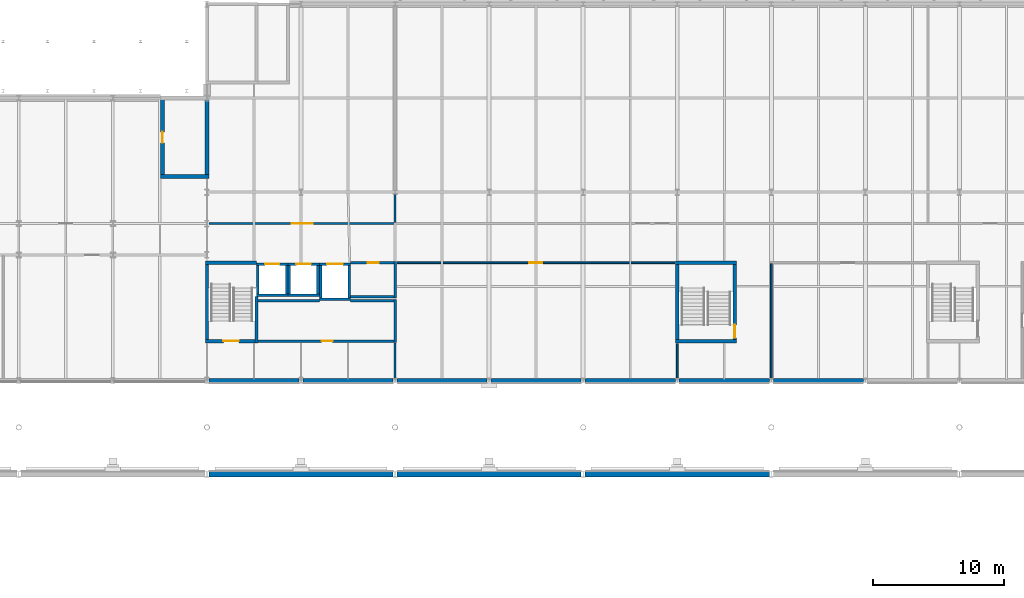
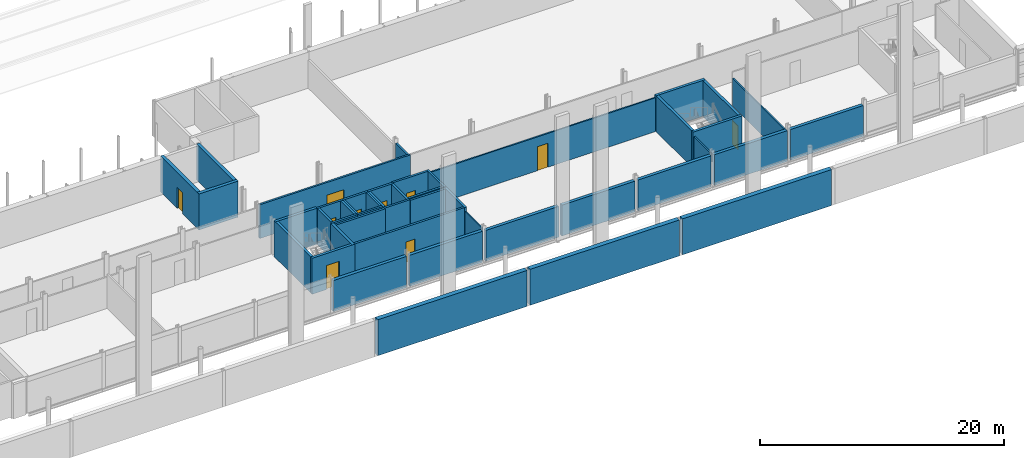
# One storey, part 57 of 90: 46 walls, 10 doors, 10 openings.
"""IFC4 building model written with IfcOpenShell, lengths in metres."""

from ifc_helpers import new_model, si_unit, direction, frame, frame_2d, origin, place, context, subcontext, project, spatial, rectangle, extrude, material, layer, layer_set, type_object, element, fill, save


model = new_model("IFC4")

# Units and contexts
model_context = context("Model", 3, precision=1e-05, world=origin(), true_north=direction((0.0, 1.0)))
body_context = subcontext(model_context, "Body", "Model", "MODEL_VIEW")
ifc_project = project(units=[si_unit("LENGTHUNIT", "METRE"), si_unit("AREAUNIT", "SQUARE_METRE"), si_unit("VOLUMEUNIT", "CUBIC_METRE"), si_unit("PLANEANGLEUNIT", "RADIAN"), si_unit("MASSUNIT", "GRAM", prefix="KILO")], contexts=[model_context])

# Site, building, storey
site_placement = place(None, origin())
site = spatial("IfcSite", under=ifc_project, at=site_placement, CompositionType="ELEMENT")
building_placement = place(site_placement, origin())
building = spatial("IfcBuilding", under=site, at=building_placement, Name="Kupolbacken Congress Centre", CompositionType="ELEMENT")
storey_placement = place(building_placement, frame((0.0, 0.0, 3.60009765625)))
storey = spatial("IfcBuildingStorey", under=building, at=storey_placement, Name="L01", CompositionType="ELEMENT", Elevation=3.60009765625)

# Walls
ifc_material_1 = material(Name="Limestone", Category="masonry")
ifc_layer_1 = layer(ifc_material_1, 0.06005859375)
ifc_material_2 = material(Name="Air cavity", Category="air")
ifc_layer_2 = layer(ifc_material_2, 0.0400390625, ventilated=True)
ifc_material_3 = material(Name="Mineral wool", Category="insulation")
ifc_layer_3 = layer(ifc_material_3, 0.14990234375)
ifc_material_4 = material(Name="Steel studs", Category="metal")
ifc_layer_4 = layer(ifc_material_4, 0.050048828125)
ifc_layer_set_1 = layer_set([ifc_layer_1, ifc_layer_2, ifc_layer_3, ifc_layer_4], Name="Limestone / Mineral wool / Steel studs")
wall_type_1 = type_object("IfcWallType", Name="EW01 external cavity wall 300", PredefinedType="SOLIDWALL", material=ifc_layer_set_1)
for number, where, z_axis, x_axis, name in (
    (1, (151.35009765625, 122.39990234375, 0.0), (0.0, 0.0, 1.0), (1.0, 0.0, 0.0), "E/B/S/L01/117"),
    (2, (158.550048828125, 122.39990234375, 0.0), (0.0, 0.0, 1.0), (1.0, 0.0, 0.0), "E/B/S/L01/118"),
    (3, (165.75, 122.39990234375, 0.0), (0.0, 0.0, 1.0), (1.0, 0.0, 0.0), "E/B/S/L01/119"),
):
    element("IfcWall", number, at=place(storey_placement, frame(where, z_axis=z_axis, x_axis=x_axis)), inside=storey, type_object=wall_type_1, Name=name, PredefinedType="SOLIDWALL", context=body_context, shape_type="SweptSolid", body=[
        extrude(rectangle(XDim=6.89990234375, YDim=0.300048828125, at=frame_2d((3.449951171875, 0.0))), origin(), (0.0, 0.0, 1.0), 3.079833984375),
    ])
for number, where, z_axis, x_axis, name in (
    (4, (172.949951171875, 122.39990234375, 0.0), (0.0, 0.0, 1.0), (1.0, 0.0, 0.0), "E/B/S/L01/120"),
    (5, (180.14990234375, 122.39990234375, 0.0), (0.0, 0.0, 1.0), (1.0, 0.0, 0.0), "E/B/S/L01/121"),
):
    element("IfcWall", number, at=place(storey_placement, frame(where, z_axis=z_axis, x_axis=x_axis)), inside=storey, type_object=wall_type_1, Name=name, PredefinedType="SOLIDWALL", context=body_context, shape_type="SweptSolid", body=[
        extrude(rectangle(XDim=6.900146484375, YDim=0.300048828125, at=frame_2d((3.4501953125, 0.0))), origin(), (0.0, 0.0, 1.0), 3.079833984375),
    ])
for number, where, z_axis, x_axis, name in (
    (6, (136.949951171875, 122.39990234375, 0.0), (0.0, 0.0, 1.0), (1.0, 0.0, 0.0), "E/BF/S/L01/128"),
    (7, (144.14990234375, 122.39990234375, 0.0), (0.0, 0.0, 1.0), (1.0, 0.0, 0.0), "E/BF/S/L01/129"),
):
    element("IfcWall", number, at=place(storey_placement, frame(where, z_axis=z_axis, x_axis=x_axis)), inside=storey, type_object=wall_type_1, Name=name, PredefinedType="SOLIDWALL", context=body_context, shape_type="SweptSolid", body=[
        extrude(rectangle(XDim=6.900146484375, YDim=0.300048828125, at=frame_2d((3.4501953125, 0.0))), origin(), (0.0, 0.0, 1.0), 3.119873046875),
    ])
ifc_material_5 = material(Name="Brick", Category="masonry")
ifc_layer_5 = layer(ifc_material_5, 0.10791015625)
ifc_layer_6 = layer(ifc_material_2, 0.0400390625, ventilated=True)
ifc_layer_7 = layer(ifc_material_3, 0.152099609375)
ifc_material_6 = material(Name="Concrete block", Category="masonry")
ifc_layer_8 = layer(ifc_material_6, 0.1201171875)
ifc_layer_set_2 = layer_set([ifc_layer_5, ifc_layer_6, ifc_layer_7, ifc_layer_8], Name="Brick / Mineral wool / Concrete block")
wall_type_2 = type_object("IfcWallType", Name="EW04 external cavity wall 420", PredefinedType="SOLIDWALL", material=ifc_layer_set_2)
wall_1_placement = place(storey_placement, frame((179.85009765625, 115.199951171875, 0.0), z_axis=(0.0, 0.0, 1.0), x_axis=(-1.0, 0.0, 0.0)))
element("IfcWall", 8, at=wall_1_placement, inside=storey, type_object=wall_type_2, Name="E/H/N/L01/164", PredefinedType="SOLIDWALL", context=body_context, shape_type="SweptSolid", body=[
    extrude(rectangle(XDim=14.10009765625, YDim=0.419921875, at=frame_2d((7.050048828125, 0.0))), origin(), (0.0, 0.0, 1.0), 3.599853515625),
])
wall_2_placement = place(storey_placement, frame((165.449951171875, 115.199951171875, 0.0), z_axis=(0.0, 0.0, 1.0), x_axis=(-1.0, 0.0, 0.0)))
element("IfcWall", 9, at=wall_2_placement, inside=storey, type_object=wall_type_2, Name="E/H/N/L01/165", PredefinedType="SOLIDWALL", context=body_context, shape_type="SweptSolid", body=[
    extrude(rectangle(XDim=14.099853515625, YDim=0.419921875, at=frame_2d((7.0498046875, 0.0))), origin(), (0.0, 0.0, 1.0), 3.599853515625),
])
wall_3_placement = place(storey_placement, frame((151.050048828125, 115.199951171875, 0.0), z_axis=(0.0, 0.0, 1.0), x_axis=(-1.0, 0.0, 0.0)))
element("IfcWall", 10, at=wall_3_placement, inside=storey, type_object=wall_type_2, Name="E/H/N/L01/166", PredefinedType="SOLIDWALL", context=body_context, shape_type="SweptSolid", body=[
    extrude(rectangle(XDim=14.10009765625, YDim=0.419921875, at=frame_2d((7.050048828125, 0.0))), origin(), (0.0, 0.0, 1.0), 3.599853515625),
])
ifc_material_7 = material(Name="Gypsum board", Category="drywall")
ifc_layer_9 = layer(ifc_material_7, 0.135009765625)
ifc_layer_set_3 = layer_set([ifc_layer_9], Name="Gypsum board")
wall_type_3 = type_object("IfcWallType", Name="P06 compartment wall 135", PredefinedType="PARTITIONING", material=ifc_layer_set_3)
wall_4_placement = place(storey_placement, frame((151.199951171875, 122.550048828125, 0.0), z_axis=(0.0, 0.0, 1.0), x_axis=(0.0, 1.0, 0.0)))
element("IfcWall", 11, at=wall_4_placement, inside=storey, type_object=wall_type_3, Name="PD/L01/W018", PredefinedType="PARTITIONING", context=body_context, shape_type="SweptSolid", body=[
    extrude(rectangle(XDim=2.68994140625, YDim=0.135009765625, at=frame_2d((1.344970703125, 0.0))), origin(), (0.0, 0.0, 1.0), 3.219970703125),
])
wall_5_placement = place(storey_placement, frame((172.800048828125, 122.550048828125, 0.0), z_axis=(0.0, 0.0, 1.0), x_axis=(0.0, 1.0, 0.0)))
element("IfcWall", 12, at=wall_5_placement, inside=storey, type_object=wall_type_3, Name="PD/L01/W021", PredefinedType="PARTITIONING", context=body_context, shape_type="SweptSolid", body=[
    extrude(rectangle(XDim=2.6650390625, YDim=0.135009765625, at=frame_2d((1.33251953125, 0.0))), origin(), (0.0, 0.0, 1.0), 3.179931640625),
])
wall_6_placement = place(storey_placement, frame((180.0, 131.33251953125, 0.0), z_axis=(0.0, 0.0, 1.0), x_axis=(0.0, -1.0, 0.0)))
element("IfcWall", 13, at=wall_6_placement, inside=storey, type_object=wall_type_3, Name="PD/L01/W022", PredefinedType="PARTITIONING", context=body_context, shape_type="SweptSolid", body=[
    extrude(rectangle(XDim=8.782470703125, YDim=0.135009765625, at=frame_2d((4.39111328125, 0.0))), origin(), (0.0, 0.0, 1.0), 2.77978515625),
])

# Wall, opening, door
wall_7_placement = place(storey_placement, frame((172.614990234375, 131.39990234375, 0.0), z_axis=(0.0, 0.0, 1.0), x_axis=(-1.0, 0.0, 0.0)))
wall_7 = element("IfcWall", 14, at=wall_7_placement, inside=storey, type_object=wall_type_3, Name="PD/L01/W125", PredefinedType="PARTITIONING", context=body_context, shape_type="SweptSolid", body=[
    extrude(rectangle(XDim=21.2548828125, YDim=0.135009765625, at=frame_2d((10.62744140625, 0.0))), origin(), (0.0, 0.0, 1.0), 3.3798828125),
])
opening_1_placement = place(wall_7_placement, frame((10.14990234375, 0.0, 0.0)))
opening_1 = element("IfcOpeningElement", 15, at=opening_1_placement, cuts=wall_7, Name="Opening 1.B06", PredefinedType="OPENING", context=body_context, shape_type="SweptSolid", body=[
    extrude(rectangle(XDim=1.0, YDim=2.39990234375, at=frame_2d((0.5, 1.199951171875))), frame((0.0, 0.077392578125, 0.0), z_axis=(0.0, -1.0, 0.0), x_axis=(1.0, 0.0, 0.0)), (0.0, 0.0, 1.0), 0.155029296875),
])
ifc_material_8 = material(Name="Steel fire door leaf", Category="steel")
door_type_1 = type_object("IfcDoorType", Name="D8 fire door 1000x2400", OperationType="SINGLE_SWING_LEFT", PredefinedType="DOOR", material=ifc_material_8)
door_1_placement = place(opening_1_placement, origin())
door_1 = element("IfcDoor", 16, at=door_1_placement, inside=storey, type_object=door_type_1, Name="PD/L01/W125/D1B06", OperationType="SINGLE_SWING_RIGHT", OverallHeight=2.39990234375, OverallWidth=1.0, PredefinedType="DOOR", context=body_context, shape_type="SweptSolid", body=[
    extrude(rectangle(XDim=1.0, YDim=2.39990234375, at=frame_2d((0.5, 1.199951171875))), frame((0.0, 0.02490234375, 0.0), z_axis=(0.0, -1.0, 0.0), x_axis=(1.0, 0.0, 0.0)), (0.0, 0.0, 1.0), 0.050048828125),
])
fill(opening_1, door_1)

ifc_material_9 = material(Name="Gypsum board", Category="drywall")
ifc_layer_10 = layer(ifc_material_9, 0.175048828125)
ifc_layer_set_4 = layer_set([ifc_layer_10], Name="Gypsum board")
wall_type_4 = type_object("IfcWallType", Name="P09 partition 175", PredefinedType="PARTITIONING", material=ifc_layer_set_4)
wall_8_placement = place(storey_placement, frame((136.949951171875, 134.39990234375, 0.0), z_axis=(0.0, 0.0, 1.0), x_axis=(1.0, 0.0, 0.0)))
wall_8 = element("IfcWall", 17, at=wall_8_placement, inside=storey, type_object=wall_type_4, Name="PD/L01/W122", PredefinedType="PARTITIONING", context=body_context, shape_type="SweptSolid", body=[
    extrude(rectangle(XDim=14.25, YDim=0.175048828125, at=frame_2d((7.125, 0.0))), origin(), (0.0, 0.0, 1.0), 3.3798828125),
])
opening_2_placement = place(wall_8_placement, frame((6.35009765625, 0.0, 0.0)))
opening_2 = element("IfcOpeningElement", 18, at=opening_2_placement, cuts=wall_8, Name="Opening 1.G04", PredefinedType="OPENING", context=body_context, shape_type="SweptSolid", body=[
    extrude(rectangle(XDim=1.60009765625, YDim=2.10009765625, at=frame_2d((0.800048828125, 1.050048828125))), frame((0.0, 0.097412109375, 0.0), z_axis=(0.0, -1.0, 0.0), x_axis=(1.0, 0.0, 0.0)), (0.0, 0.0, 1.0), 0.195068359375),
])
ifc_material_10 = material(Name="Steel fire door leaf", Category="steel")
door_type_2 = type_object("IfcDoorType", Name="D13 fire door 1600x2100", OperationType="DOUBLE_DOOR_SINGLE_SWING", PredefinedType="DOOR", material=ifc_material_10)
door_2_placement = place(opening_2_placement, origin())
door_2 = element("IfcDoor", 19, at=door_2_placement, inside=storey, type_object=door_type_2, Name="PD/L01/W122/D1G04", OperationType="DOUBLE_DOOR_SINGLE_SWING", OverallHeight=2.10009765625, OverallWidth=1.60009765625, PredefinedType="DOOR", context=body_context, shape_type="SweptSolid", body=[
    extrude(rectangle(XDim=1.60009765625, YDim=2.10009765625, at=frame_2d((0.800048828125, 1.050048828125))), frame((0.0, 0.02490234375, 0.0), z_axis=(0.0, -1.0, 0.0), x_axis=(1.0, 0.0, 0.0)), (0.0, 0.0, 1.0), 0.050048828125),
])
fill(opening_2, door_2)

# Wall
wall_9_placement = place(storey_placement, frame((151.199951171875, 136.64990234375, 0.0), z_axis=(0.0, 0.0, 1.0), x_axis=(0.0, -1.0, 0.0)))
element("IfcWall", 20, at=wall_9_placement, inside=storey, type_object=wall_type_4, Name="PD/L01/W128.h1", PredefinedType="PARTITIONING", context=body_context, shape_type="SweptSolid", body=[
    extrude(rectangle(XDim=2.162353515625, YDim=0.175048828125, at=frame_2d((1.0810546875, 0.0))), origin(), (0.0, 0.0, 1.0), 3.14990234375),
])

# Wall, opening, door
ifc_material_11 = material(Name="Concrete C40/50", Category="concrete")
ifc_layer_11 = layer(ifc_material_11, 0.199951171875)
ifc_layer_set_5 = layer_set([ifc_layer_11], Name="Concrete C40/50")
wall_type_5 = type_object("IfcWallType", Name="WC1 RC shaft wall 200", PredefinedType="SHEAR", material=ifc_layer_set_5)
wall_10_placement = place(storey_placement, frame((140.72509765625, 125.39990234375, 0.0), z_axis=(0.0, 0.0, 1.0), x_axis=(1.0, 0.0, 0.0)))
wall_10 = element("IfcWall", 21, at=wall_10_placement, inside=storey, type_object=wall_type_5, Name="Shaft wall L01-083", PredefinedType="SHEAR", context=body_context, shape_type="SweptSolid", body=[
    extrude(rectangle(XDim=10.574951171875, YDim=0.199951171875, at=frame_2d((5.28759765625, 0.0))), origin(), (0.0, 0.0, 1.0), 3.599853515625),
])
opening_3_placement = place(wall_10_placement, frame((4.85009765625, 0.0, 0.0)))
opening_3 = element("IfcOpeningElement", 22, at=opening_3_placement, cuts=wall_10, Name="Opening 1.G03", PredefinedType="OPENING", context=body_context, shape_type="SweptSolid", body=[
    extrude(rectangle(XDim=0.85009765625, YDim=2.10009765625, at=frame_2d((0.425048828125, 1.050048828125))), frame((0.0, 0.10986328125, 0.0), z_axis=(0.0, -1.0, 0.0), x_axis=(1.0, 0.0, 0.0)), (0.0, 0.0, 1.0), 0.219970703125),
])
ifc_material_12 = material(Name="Steel fire door leaf", Category="steel")
door_type_3 = type_object("IfcDoorType", Name="D3 fire door 850x2100", OperationType="SINGLE_SWING_LEFT", PredefinedType="DOOR", material=ifc_material_12)
door_3_placement = place(opening_3_placement, origin())
door_3 = element("IfcDoor", 23, at=door_3_placement, inside=storey, type_object=door_type_3, Name="S/core/L01/083/D1G03", OperationType="SINGLE_SWING_RIGHT", OverallHeight=2.10009765625, OverallWidth=0.85009765625, PredefinedType="DOOR", context=body_context, shape_type="SweptSolid", body=[
    extrude(rectangle(XDim=0.85009765625, YDim=2.10009765625, at=frame_2d((0.425048828125, 1.050048828125))), frame((0.0, 0.02490234375, 0.0), z_axis=(0.0, -1.0, 0.0), x_axis=(1.0, 0.0, 0.0)), (0.0, 0.0, 1.0), 0.050048828125),
])
fill(opening_3, door_3)

# Walls
wall_11_placement = place(storey_placement, frame((151.199951171875, 125.300048828125, 0.0), z_axis=(0.0, 0.0, 1.0), x_axis=(0.0, 1.0, 0.0)))
element("IfcWall", 24, at=wall_11_placement, inside=storey, type_object=wall_type_5, Name="Shaft wall L01-085", PredefinedType="SHEAR", context=body_context, shape_type="SweptSolid", body=[
    extrude(rectangle(XDim=3.300048828125, YDim=0.199951171875, at=frame_2d((1.64990234375, 0.0))), origin(), (0.0, 0.0, 1.0), 3.599853515625),
])
wall_12_placement = place(storey_placement, frame((140.60009765625, 128.5, 0.0), z_axis=(0.0, 0.0, 1.0), x_axis=(1.0, 0.0, 0.0)))
element("IfcWall", 25, at=wall_12_placement, inside=storey, type_object=wall_type_5, Name="Shaft wall L01-095", PredefinedType="SHEAR", context=body_context, shape_type="SweptSolid", body=[
    extrude(rectangle(XDim=4.7998046875, YDim=0.199951171875, at=frame_2d((2.39990234375, 0.0))), origin(), (0.0, 0.0, 1.0), 3.599853515625),
])
for number, where, z_axis, x_axis, name in (
    (26, (147.800048828125, 128.5, 0.0), (0.0, 0.0, 1.0), (1.0, 0.0, 0.0), "Shaft wall L01-097"),
    (27, (147.800048828125, 128.800048828125, 0.0), (0.0, 0.0, 1.0), (1.0, 0.0, 0.0), "Shaft wall L01-098"),
):
    element("IfcWall", number, at=place(storey_placement, frame(where, z_axis=z_axis, x_axis=x_axis)), inside=storey, type_object=wall_type_5, Name=name, PredefinedType="SHEAR", context=body_context, shape_type="SweptSolid", body=[
        extrude(rectangle(XDim=3.5, YDim=0.199951171875, at=frame_2d((1.75, 0.0))), origin(), (0.0, 0.0, 1.0), 3.599853515625),
    ])
wall_13_placement = place(storey_placement, frame((151.199951171875, 128.699951171875, 0.0), z_axis=(0.0, 0.0, 1.0), x_axis=(0.0, 1.0, 0.0)))
element("IfcWall", 28, at=wall_13_placement, inside=storey, type_object=wall_type_5, Name="Shaft wall L01-099", PredefinedType="SHEAR", context=body_context, shape_type="SweptSolid", body=[
    extrude(rectangle(XDim=2.800048828125, YDim=0.199951171875, at=frame_2d((1.39990234375, 0.0))), origin(), (0.0, 0.0, 1.0), 3.599853515625),
])

# Wall, opening, door
wall_14_placement = place(storey_placement, frame((151.300048828125, 131.39990234375, 0.0), z_axis=(0.0, 0.0, 1.0), x_axis=(-1.0, 0.0, 0.0)))
wall_14 = element("IfcWall", 29, at=wall_14_placement, inside=storey, type_object=wall_type_5, Name="Shaft wall L01-103", PredefinedType="SHEAR", context=body_context, shape_type="SweptSolid", body=[
    extrude(rectangle(XDim=3.5, YDim=0.199951171875, at=frame_2d((1.75, 0.0))), origin(), (0.0, 0.0, 1.0), 3.599853515625),
])
opening_4_placement = place(wall_14_placement, frame((1.35009765625, 0.0, 0.0)))
opening_4 = element("IfcOpeningElement", 30, at=opening_4_placement, cuts=wall_14, Name="Opening 1.G02", PredefinedType="OPENING", context=body_context, shape_type="SweptSolid", body=[
    extrude(rectangle(XDim=0.85009765625, YDim=2.10009765625, at=frame_2d((0.425048828125, 1.050048828125))), frame((0.0, 0.10986328125, 0.0), z_axis=(0.0, -1.0, 0.0), x_axis=(1.0, 0.0, 0.0)), (0.0, 0.0, 1.0), 0.219970703125),
])
door_4_placement = place(opening_4_placement, origin())
door_4 = element("IfcDoor", 31, at=door_4_placement, inside=storey, type_object=door_type_3, Name="S/core/L01/103/D1G02", OperationType="SINGLE_SWING_RIGHT", OverallHeight=2.10009765625, OverallWidth=0.85009765625, PredefinedType="DOOR", context=body_context, shape_type="SweptSolid", body=[
    extrude(rectangle(XDim=0.85009765625, YDim=2.10009765625, at=frame_2d((0.425048828125, 1.050048828125))), frame((0.0, 0.02490234375, 0.0), z_axis=(0.0, -1.0, 0.0), x_axis=(1.0, 0.0, 0.0)), (0.0, 0.0, 1.0), 0.050048828125),
])
fill(opening_4, door_4)

# Wall
wall_15_placement = place(storey_placement, frame((140.60009765625, 128.89990234375, 0.0), z_axis=(0.0, 0.0, 1.0), x_axis=(1.0, 0.0, 0.0)))
element("IfcWall", 32, at=wall_15_placement, inside=storey, type_object=wall_type_5, Name="Shaft wall LP15", PredefinedType="SHEAR", context=body_context, shape_type="SweptSolid", body=[
    extrude(rectangle(XDim=2.39990234375, YDim=0.199951171875, at=frame_2d((1.199951171875, 0.0))), origin(), (0.0, 0.0, 1.0), 3.599853515625),
])

# Wall, opening, door
wall_16_placement = place(storey_placement, frame((140.60009765625, 131.300048828125, 0.0), z_axis=(0.0, 0.0, 1.0), x_axis=(1.0, 0.0, 0.0)))
wall_16 = element("IfcWall", 33, at=wall_16_placement, inside=storey, type_object=wall_type_5, Name="Shaft wall LP15", PredefinedType="SHEAR", context=body_context, shape_type="SweptSolid", body=[
    extrude(rectangle(XDim=2.39990234375, YDim=0.199951171875, at=frame_2d((1.199951171875, 0.0))), origin(), (0.0, 0.0, 1.0), 3.599853515625),
])
opening_5_placement = place(wall_16_placement, frame((0.64990234375, 0.0, 0.0)))
opening_5 = element("IfcOpeningElement", 34, at=opening_5_placement, cuts=wall_16, Name="Opening LD2", PredefinedType="OPENING", context=body_context, shape_type="SweptSolid", body=[
    extrude(rectangle(XDim=1.10009765625, YDim=2.10009765625, at=frame_2d((0.550048828125, 1.050048828125))), frame((0.0, 0.10986328125, 0.0), z_axis=(0.0, -1.0, 0.0), x_axis=(1.0, 0.0, 0.0)), (0.0, 0.0, 1.0), 0.219970703125),
])
ifc_material_13 = material(Name="Stainless steel door leaf", Category="steel")
door_type_4 = type_object("IfcDoorType", Name="LD2 lift landing door 1100x2100", OperationType="SLIDING_TO_LEFT", PredefinedType="DOOR", material=ifc_material_13)
door_5_placement = place(opening_5_placement, origin())
door_5 = element("IfcDoor", 35, at=door_5_placement, inside=storey, type_object=door_type_4, Name="Lift landing door LP15", OperationType="SLIDING_TO_LEFT", OverallHeight=2.10009765625, OverallWidth=1.10009765625, PredefinedType="DOOR", context=body_context, shape_type="SweptSolid", body=[
    extrude(rectangle(XDim=1.10009765625, YDim=2.10009765625, at=frame_2d((0.550048828125, 1.050048828125))), frame((0.0, 0.02490234375, 0.0), z_axis=(0.0, -1.0, 0.0), x_axis=(1.0, 0.0, 0.0)), (0.0, 0.0, 1.0), 0.050048828125),
])
fill(opening_5, door_5)

# Walls
for number, where, z_axis, x_axis, name in (
    (36, (140.699951171875, 129.0, 0.0), (0.0, 0.0, 1.0), (0.0, 1.0, 0.0), "Shaft wall LP15"),
    (37, (142.89990234375, 129.0, 0.0), (0.0, 0.0, 1.0), (0.0, 1.0, 0.0), "Shaft wall LP15"),
):
    element("IfcWall", number, at=place(storey_placement, frame(where, z_axis=z_axis, x_axis=x_axis)), inside=storey, type_object=wall_type_5, Name=name, PredefinedType="SHEAR", context=body_context, shape_type="SweptSolid", body=[
        extrude(rectangle(XDim=2.199951171875, YDim=0.199951171875, at=frame_2d((1.10009765625, 0.0))), origin(), (0.0, 0.0, 1.0), 3.599853515625),
    ])
wall_17_placement = place(storey_placement, frame((143.0, 128.89990234375, 0.0), z_axis=(0.0, 0.0, 1.0), x_axis=(1.0, 0.0, 0.0)))
element("IfcWall", 38, at=wall_17_placement, inside=storey, type_object=wall_type_5, Name="Shaft wall LP16", PredefinedType="SHEAR", context=body_context, shape_type="SweptSolid", body=[
    extrude(rectangle(XDim=2.39990234375, YDim=0.199951171875, at=frame_2d((1.199951171875, 0.0))), origin(), (0.0, 0.0, 1.0), 3.599853515625),
])

# Wall, opening, door
wall_18_placement = place(storey_placement, frame((143.0, 131.300048828125, 0.0), z_axis=(0.0, 0.0, 1.0), x_axis=(1.0, 0.0, 0.0)))
wall_18 = element("IfcWall", 39, at=wall_18_placement, inside=storey, type_object=wall_type_5, Name="Shaft wall LP16", PredefinedType="SHEAR", context=body_context, shape_type="SweptSolid", body=[
    extrude(rectangle(XDim=2.39990234375, YDim=0.199951171875, at=frame_2d((1.199951171875, 0.0))), origin(), (0.0, 0.0, 1.0), 3.599853515625),
])
opening_6_placement = place(wall_18_placement, frame((0.64990234375, 0.0, 0.0)))
opening_6 = element("IfcOpeningElement", 40, at=opening_6_placement, cuts=wall_18, Name="Opening LD2", PredefinedType="OPENING", context=body_context, shape_type="SweptSolid", body=[
    extrude(rectangle(XDim=1.10009765625, YDim=2.10009765625, at=frame_2d((0.550048828125, 1.050048828125))), frame((0.0, 0.10986328125, 0.0), z_axis=(0.0, -1.0, 0.0), x_axis=(1.0, 0.0, 0.0)), (0.0, 0.0, 1.0), 0.219970703125),
])
door_6_placement = place(opening_6_placement, origin())
door_6 = element("IfcDoor", 41, at=door_6_placement, inside=storey, type_object=door_type_4, Name="Lift landing door LP16", OperationType="SLIDING_TO_LEFT", OverallHeight=2.10009765625, OverallWidth=1.10009765625, PredefinedType="DOOR", context=body_context, shape_type="SweptSolid", body=[
    extrude(rectangle(XDim=1.10009765625, YDim=2.10009765625, at=frame_2d((0.550048828125, 1.050048828125))), frame((0.0, 0.02490234375, 0.0), z_axis=(0.0, -1.0, 0.0), x_axis=(1.0, 0.0, 0.0)), (0.0, 0.0, 1.0), 0.050048828125),
])
fill(opening_6, door_6)

# Walls
for number, where, z_axis, x_axis, name in (
    (42, (143.10009765625, 129.0, 0.0), (0.0, 0.0, 1.0), (0.0, 1.0, 0.0), "Shaft wall LP16"),
    (43, (145.300048828125, 129.0, 0.0), (0.0, 0.0, 1.0), (0.0, 1.0, 0.0), "Shaft wall LP16"),
):
    element("IfcWall", number, at=place(storey_placement, frame(where, z_axis=z_axis, x_axis=x_axis)), inside=storey, type_object=wall_type_5, Name=name, PredefinedType="SHEAR", context=body_context, shape_type="SweptSolid", body=[
        extrude(rectangle(XDim=2.199951171875, YDim=0.199951171875, at=frame_2d((1.10009765625, 0.0))), origin(), (0.0, 0.0, 1.0), 3.599853515625),
    ])
wall_19_placement = place(storey_placement, frame((145.39990234375, 128.60009765625, 0.0), z_axis=(0.0, 0.0, 1.0), x_axis=(1.0, 0.0, 0.0)))
element("IfcWall", 44, at=wall_19_placement, inside=storey, type_object=wall_type_5, Name="Shaft wall LV2", PredefinedType="SHEAR", context=body_context, shape_type="SweptSolid", body=[
    extrude(rectangle(XDim=2.400146484375, YDim=0.199951171875, at=frame_2d((1.2001953125, 0.0))), origin(), (0.0, 0.0, 1.0), 3.599853515625),
])

# Wall, opening, door
wall_20_placement = place(storey_placement, frame((145.39990234375, 131.300048828125, 0.0), z_axis=(0.0, 0.0, 1.0), x_axis=(1.0, 0.0, 0.0)))
wall_20 = element("IfcWall", 45, at=wall_20_placement, inside=storey, type_object=wall_type_5, Name="Shaft wall LV2", PredefinedType="SHEAR", context=body_context, shape_type="SweptSolid", body=[
    extrude(rectangle(XDim=2.400146484375, YDim=0.199951171875, at=frame_2d((1.2001953125, 0.0))), origin(), (0.0, 0.0, 1.0), 3.599853515625),
])
opening_7_placement = place(wall_20_placement, frame((0.60009765625, 0.0, 0.0)))
opening_7 = element("IfcOpeningElement", 46, at=opening_7_placement, cuts=wall_20, Name="Opening LD1", PredefinedType="OPENING", context=body_context, shape_type="SweptSolid", body=[
    extrude(rectangle(XDim=1.199951171875, YDim=2.10009765625, at=frame_2d((0.60009765625, 1.050048828125))), frame((0.0, 0.10986328125, 0.0), z_axis=(0.0, -1.0, 0.0), x_axis=(1.0, 0.0, 0.0)), (0.0, 0.0, 1.0), 0.219970703125),
])
ifc_material_14 = material(Name="Stainless steel door leaf", Category="steel")
door_type_5 = type_object("IfcDoorType", Name="LD1 lift landing door 1200x2100", OperationType="SLIDING_TO_LEFT", PredefinedType="DOOR", material=ifc_material_14)
door_7_placement = place(opening_7_placement, origin())
door_7 = element("IfcDoor", 47, at=door_7_placement, inside=storey, type_object=door_type_5, Name="Lift landing door LV2", OperationType="SLIDING_TO_LEFT", OverallHeight=2.10009765625, OverallWidth=1.199951171875, PredefinedType="DOOR", context=body_context, shape_type="SweptSolid", body=[
    extrude(rectangle(XDim=1.199951171875, YDim=2.10009765625, at=frame_2d((0.60009765625, 1.050048828125))), frame((0.0, 0.02490234375, 0.0), z_axis=(0.0, -1.0, 0.0), x_axis=(1.0, 0.0, 0.0)), (0.0, 0.0, 1.0), 0.050048828125),
])
fill(opening_7, door_7)

# Walls
for number, where, z_axis, x_axis, name in (
    (48, (145.5, 128.699951171875, 0.0), (0.0, 0.0, 1.0), (0.0, 1.0, 0.0), "Shaft wall LV2"),
    (49, (147.699951171875, 128.699951171875, 0.0), (0.0, 0.0, 1.0), (0.0, 1.0, 0.0), "Shaft wall LV2"),
):
    element("IfcWall", number, at=place(storey_placement, frame(where, z_axis=z_axis, x_axis=x_axis)), inside=storey, type_object=wall_type_5, Name=name, PredefinedType="SHEAR", context=body_context, shape_type="SweptSolid", body=[
        extrude(rectangle(XDim=2.5, YDim=0.199951171875, at=frame_2d((1.25, 0.0))), origin(), (0.0, 0.0, 1.0), 3.599853515625),
    ])

# Wall, opening, door
ifc_material_15 = material(Name="Concrete C40/50", Category="concrete")
ifc_layer_12 = layer(ifc_material_15, 0.25)
ifc_layer_set_6 = layer_set([ifc_layer_12], Name="Concrete C40/50")
wall_type_6 = type_object("IfcWallType", Name="WC2 RC stair enclosure wall 250", PredefinedType="SHEAR", material=ifc_layer_set_6)
wall_21_placement = place(storey_placement, frame((136.675048828125, 125.39990234375, 0.0), z_axis=(0.0, 0.0, 1.0), x_axis=(1.0, 0.0, 0.0)))
wall_21 = element("IfcWall", 50, at=wall_21_placement, inside=storey, type_object=wall_type_6, Name="Stair enclosure wall L01-082", PredefinedType="SHEAR", context=body_context, shape_type="SweptSolid", body=[
    extrude(rectangle(XDim=4.050048828125, YDim=0.25, at=frame_2d((2.02490234375, 0.0))), origin(), (0.0, 0.0, 1.0), 3.599853515625),
])
opening_8_placement = place(wall_21_placement, frame((1.375, 0.0, 0.0)))
opening_8 = element("IfcOpeningElement", 51, at=opening_8_placement, cuts=wall_21, Name="Opening 1.G01", PredefinedType="OPENING", context=body_context, shape_type="SweptSolid", body=[
    extrude(rectangle(XDim=1.199951171875, YDim=2.39990234375, at=frame_2d((0.60009765625, 1.199951171875))), frame((0.0, 0.135009765625, 0.0), z_axis=(0.0, -1.0, 0.0), x_axis=(1.0, 0.0, 0.0)), (0.0, 0.0, 1.0), 0.27001953125),
])
ifc_material_16 = material(Name="Steel fire door leaf", Category="steel")
door_type_6 = type_object("IfcDoorType", Name="D9 fire door 1200x2400", OperationType="SINGLE_SWING_LEFT", PredefinedType="DOOR", material=ifc_material_16)
door_8_placement = place(opening_8_placement, origin())
door_8 = element("IfcDoor", 52, at=door_8_placement, inside=storey, type_object=door_type_6, Name="S/core/L01/082/D1G01", OperationType="SINGLE_SWING_RIGHT", OverallHeight=2.39990234375, OverallWidth=1.199951171875, PredefinedType="DOOR", context=body_context, shape_type="SweptSolid", body=[
    extrude(rectangle(XDim=1.199951171875, YDim=2.39990234375, at=frame_2d((0.60009765625, 1.199951171875))), frame((0.0, 0.02490234375, 0.0), z_axis=(0.0, -1.0, 0.0), x_axis=(1.0, 0.0, 0.0)), (0.0, 0.0, 1.0), 0.050048828125),
])
fill(opening_8, door_8)

# Walls
wall_22_placement = place(storey_placement, frame((140.60009765625, 125.27490234375, 0.0), z_axis=(0.0, 0.0, 1.0), x_axis=(0.0, 1.0, 0.0)))
element("IfcWall", 53, at=wall_22_placement, inside=storey, type_object=wall_type_6, Name="Stair enclosure wall L01-084", PredefinedType="SHEAR", context=body_context, shape_type="SweptSolid", body=[
    extrude(rectangle(XDim=3.525146484375, YDim=0.25, at=frame_2d((1.7626953125, 0.0))), origin(), (0.0, 0.0, 1.0), 3.599853515625),
])
wall_23_placement = place(storey_placement, frame((172.675048828125, 125.39990234375, 0.0), z_axis=(0.0, 0.0, 1.0), x_axis=(1.0, 0.0, 0.0)))
element("IfcWall", 54, at=wall_23_placement, inside=storey, type_object=wall_type_6, Name="Stair enclosure wall L01-086", PredefinedType="SHEAR", context=body_context, shape_type="SweptSolid", body=[
    extrude(rectangle(XDim=4.64990234375, YDim=0.25, at=frame_2d((2.324951171875, 0.0))), origin(), (0.0, 0.0, 1.0), 3.599853515625),
])

# Wall, opening, door
wall_24_placement = place(storey_placement, frame((177.199951171875, 125.27490234375, 0.0), z_axis=(0.0, 0.0, 1.0), x_axis=(0.0, 1.0, 0.0)))
wall_24 = element("IfcWall", 55, at=wall_24_placement, inside=storey, type_object=wall_type_6, Name="Stair enclosure wall L01-087", PredefinedType="SHEAR", context=body_context, shape_type="SweptSolid", body=[
    extrude(rectangle(XDim=6.25, YDim=0.25, at=frame_2d((3.125, 0.0))), origin(), (0.0, 0.0, 1.0), 3.599853515625),
])
opening_9_placement = place(wall_24_placement, frame((0.375, 0.0, 0.0)))
opening_9 = element("IfcOpeningElement", 56, at=opening_9_placement, cuts=wall_24, Name="Opening 1.B02", PredefinedType="OPENING", context=body_context, shape_type="SweptSolid", body=[
    extrude(rectangle(XDim=1.0, YDim=2.39990234375, at=frame_2d((0.5, 1.199951171875))), frame((0.0, 0.135009765625, 0.0), z_axis=(0.0, -1.0, 0.0), x_axis=(1.0, 0.0, 0.0)), (0.0, 0.0, 1.0), 0.27001953125),
])
door_9_placement = place(opening_9_placement, origin())
door_9 = element("IfcDoor", 57, at=door_9_placement, inside=storey, type_object=door_type_1, Name="S/core/L01/087/D1B02", OperationType="SINGLE_SWING_RIGHT", OverallHeight=2.39990234375, OverallWidth=1.0, PredefinedType="DOOR", context=body_context, shape_type="SweptSolid", body=[
    extrude(rectangle(XDim=1.0, YDim=2.39990234375, at=frame_2d((0.5, 1.199951171875))), frame((0.0, 0.02490234375, 0.0), z_axis=(0.0, -1.0, 0.0), x_axis=(1.0, 0.0, 0.0)), (0.0, 0.0, 1.0), 0.050048828125),
])
fill(opening_9, door_9)

# Walls
wall_25_placement = place(storey_placement, frame((136.800048828125, 131.52490234375, 0.0), z_axis=(0.0, 0.0, 1.0), x_axis=(0.0, -1.0, 0.0)))
element("IfcWall", 58, at=wall_25_placement, inside=storey, type_object=wall_type_6, Name="Stair enclosure wall L01-101", PredefinedType="SHEAR", context=body_context, shape_type="SweptSolid", body=[
    extrude(rectangle(XDim=6.25, YDim=0.25, at=frame_2d((3.125, 0.0))), origin(), (0.0, 0.0, 1.0), 3.599853515625),
])
wall_26_placement = place(storey_placement, frame((140.60009765625, 131.39990234375, 0.0), z_axis=(0.0, 0.0, 1.0), x_axis=(-1.0, 0.0, 0.0)))
element("IfcWall", 59, at=wall_26_placement, inside=storey, type_object=wall_type_6, Name="Stair enclosure wall L01-102", PredefinedType="SHEAR", context=body_context, shape_type="SweptSolid", body=[
    extrude(rectangle(XDim=3.925048828125, YDim=0.25, at=frame_2d((1.96240234375, 0.0))), origin(), (0.0, 0.0, 1.0), 3.599853515625),
])
wall_27_placement = place(storey_placement, frame((172.800048828125, 131.52490234375, 0.0), z_axis=(0.0, 0.0, 1.0), x_axis=(0.0, -1.0, 0.0)))
element("IfcWall", 60, at=wall_27_placement, inside=storey, type_object=wall_type_6, Name="Stair enclosure wall L01-104", PredefinedType="SHEAR", context=body_context, shape_type="SweptSolid", body=[
    extrude(rectangle(XDim=6.25, YDim=0.25, at=frame_2d((3.125, 0.0))), origin(), (0.0, 0.0, 1.0), 3.599853515625),
])
wall_28_placement = place(storey_placement, frame((177.324951171875, 131.39990234375, 0.0), z_axis=(0.0, 0.0, 1.0), x_axis=(-1.0, 0.0, 0.0)))
element("IfcWall", 61, at=wall_28_placement, inside=storey, type_object=wall_type_6, Name="Stair enclosure wall L01-105", PredefinedType="SHEAR", context=body_context, shape_type="SweptSolid", body=[
    extrude(rectangle(XDim=4.64990234375, YDim=0.25, at=frame_2d((2.324951171875, 0.0))), origin(), (0.0, 0.0, 1.0), 3.599853515625),
])
ifc_material_17 = material(Name="Concrete C40/50", Category="concrete")
ifc_layer_13 = layer(ifc_material_17, 0.300048828125)
ifc_layer_set_7 = layer_set([ifc_layer_13], Name="Concrete C40/50")
wall_type_7 = type_object("IfcWallType", Name="WC3 RC core wall 300", PredefinedType="SHEAR", material=ifc_layer_set_7)
wall_29_placement = place(storey_placement, frame((133.25, 138.0, 0.0), z_axis=(0.0, 0.0, 1.0), x_axis=(1.0, 0.0, 0.0)))
element("IfcWall", 62, at=wall_29_placement, inside=storey, type_object=wall_type_7, Name="Core wall L01-122", PredefinedType="SHEAR", context=body_context, shape_type="SweptSolid", body=[
    extrude(rectangle(XDim=3.699951171875, YDim=0.300048828125, at=frame_2d((1.85009765625, 0.0))), origin(), (0.0, 0.0, 1.0), 3.599853515625),
])
wall_30_placement = place(storey_placement, frame((136.800048828125, 137.85009765625, 0.0), z_axis=(0.0, 0.0, 1.0), x_axis=(0.0, 1.0, 0.0)))
element("IfcWall", 63, at=wall_30_placement, inside=storey, type_object=wall_type_7, Name="Core wall L01-123", PredefinedType="SHEAR", context=body_context, shape_type="SweptSolid", body=[
    extrude(rectangle(XDim=6.2998046875, YDim=0.300048828125, at=frame_2d((3.14990234375, 0.0))), origin(), (0.0, 0.0, 1.0), 3.599853515625),
])

# Wall, opening, door
wall_31_placement = place(storey_placement, frame((133.39990234375, 144.14990234375, 0.0), z_axis=(0.0, 0.0, 1.0), x_axis=(0.0, -1.0, 0.0)))
wall_31 = element("IfcWall", 64, at=wall_31_placement, inside=storey, type_object=wall_type_7, Name="Core wall L01-130", PredefinedType="SHEAR", context=body_context, shape_type="SweptSolid", body=[
    extrude(rectangle(XDim=6.2998046875, YDim=0.300048828125, at=frame_2d((3.14990234375, 0.0))), origin(), (0.0, 0.0, 1.0), 3.599853515625),
])
opening_10_placement = place(wall_31_placement, frame((2.72509765625, 0.0, 0.0)))
opening_10 = element("IfcOpeningElement", 65, at=opening_10_placement, cuts=wall_31, Name="Opening D3", PredefinedType="OPENING", context=body_context, shape_type="SweptSolid", body=[
    extrude(rectangle(XDim=0.85009765625, YDim=2.10009765625, at=frame_2d((0.425048828125, 1.050048828125))), frame((0.0, 0.159912109375, 0.0), z_axis=(0.0, -1.0, 0.0), x_axis=(1.0, 0.0, 0.0)), (0.0, 0.0, 1.0), 0.320068359375),
])
door_10_placement = place(opening_10_placement, origin())
door_10 = element("IfcDoor", 66, at=door_10_placement, inside=storey, type_object=door_type_3, Name="S/core/L01/130/D-ST4-D", OperationType="SINGLE_SWING_RIGHT", OverallHeight=2.10009765625, OverallWidth=0.85009765625, PredefinedType="DOOR", context=body_context, shape_type="SweptSolid", body=[
    extrude(rectangle(XDim=0.85009765625, YDim=2.10009765625, at=frame_2d((0.425048828125, 1.050048828125))), frame((0.0, 0.02490234375, 0.0), z_axis=(0.0, -1.0, 0.0), x_axis=(1.0, 0.0, 0.0)), (0.0, 0.0, 1.0), 0.050048828125),
])
fill(opening_10, door_10)

save(model, "model.ifc")
